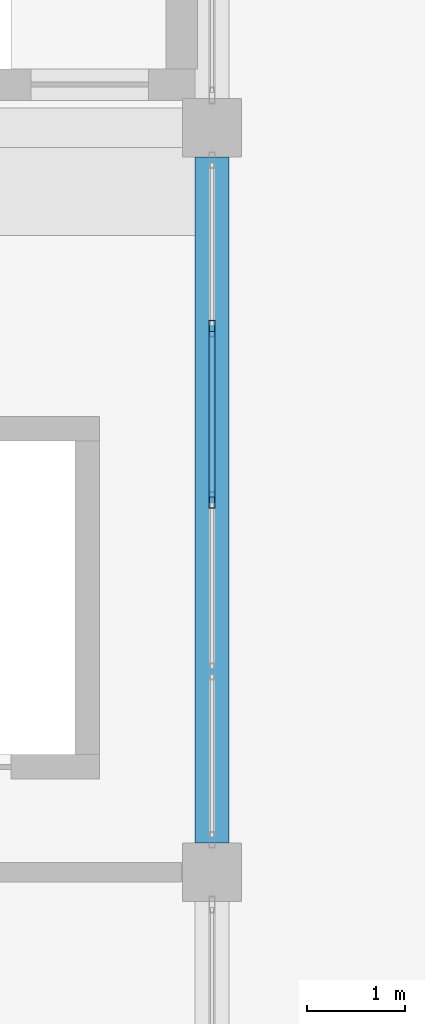
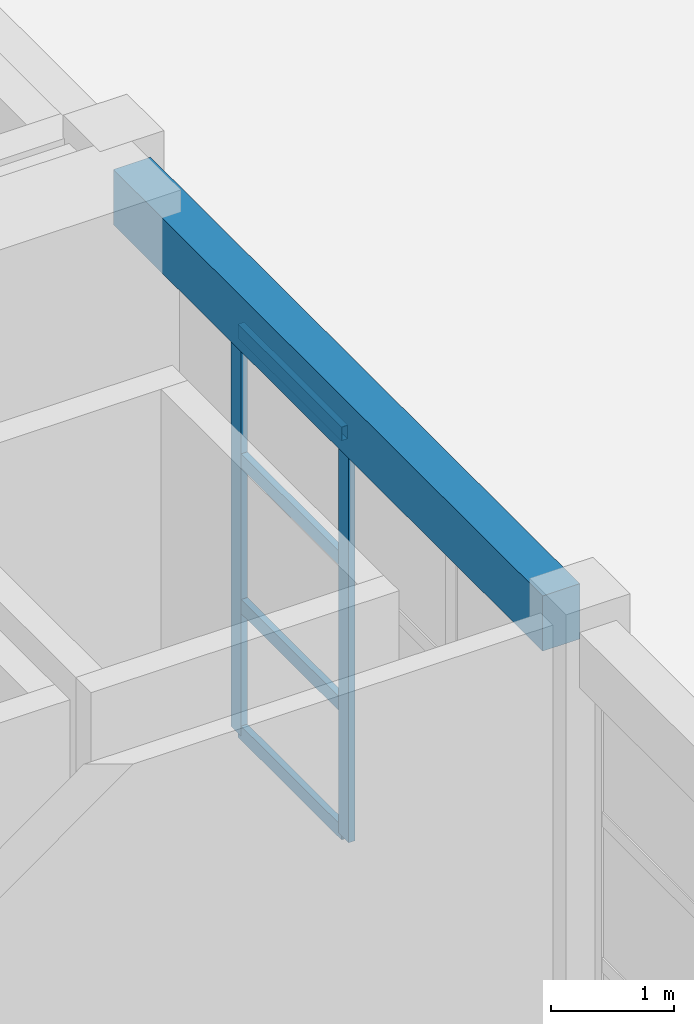
# One storey, part 17 of 32: 6 members, 1 beam, 1 element without a shape of its own.
"""IFC4 building model written with IfcOpenShell, lengths in metres."""

from ifc_helpers import new_model, si_unit, direction, frame, origin, origin_2d, place, context, subcontext, project, spatial, rectangle, hollow_rectangle, extrude, material, material_profile, profile_set, type_object, element, aggregate, save


model = new_model("IFC4")

# Units and contexts
model_context = context("Model", 3, precision=1e-05, world=origin(), true_north=direction((0.0, 1.0)))
body_context = subcontext(model_context, "Body", "Model", "MODEL_VIEW")
ifc_project = project(units=[si_unit("LENGTHUNIT", "METRE"), si_unit("AREAUNIT", "SQUARE_METRE"), si_unit("VOLUMEUNIT", "CUBIC_METRE"), si_unit("PLANEANGLEUNIT", "RADIAN"), si_unit("MASSUNIT", "GRAM", prefix="KILO")], contexts=[model_context])

# Site, building, storey
site_placement = place(None, origin())
site = spatial("IfcSite", under=ifc_project, at=site_placement, CompositionType="ELEMENT")
building_placement = place(site_placement, origin())
building = spatial("IfcBuilding", under=site, at=building_placement, Name="Zantavel Square City Hall", CompositionType="ELEMENT")
storey_placement = place(building_placement, frame((0.0, 0.0, 23.699951171875)))
storey = spatial("IfcBuildingStorey", under=building, at=storey_placement, Name="L06", CompositionType="ELEMENT", Elevation=23.699951171875)

# Curtain wall, members
ifc_material_1 = material(Name="Anodised aluminium 6063-T6", Category="aluminium")
curtain_wall_type = type_object("IfcCurtainWallType", Name="Curtain Wall TRV1 7000x4030", PredefinedType="USERDEFINED", material=ifc_material_1)
curtain_wall_placement = place(storey_placement, origin())
curtain_wall = element("IfcCurtainWall", 1, at=curtain_wall_placement, inside=storey, type_object=curtain_wall_type, Name="L06 Glazed Curtain Wall CW-L06-151", ObjectType="GLAZED CURTAIN WALL", PredefinedType="USERDEFINED")
ifc_material_profile_1 = material_profile(ifc_material_1, hollow_rectangle(XDim=0.06005859375, YDim=0.1650390625, WallThickness=0.00390625, at=origin_2d()), Name="ALU 60x165x4")
ifc_profile_set_1 = profile_set([ifc_material_profile_1], Name="Anodised aluminium 6063-T6")
member_type_1 = type_object("IfcMemberType", Name="CW Council Gallery Mullion ALU 60x165x4", PredefinedType="MULLION", material=ifc_profile_set_1)
member_1_placement = place(storey_placement, frame((104.0, 58.75, 0.0), z_axis=(0.0, 0.0, 1.0), x_axis=(1.0, 0.0, 0.0)))
member_1 = element("IfcMember", 2, at=member_1_placement, type_object=member_type_1, Name="CW-151 mullion 2", PredefinedType="MULLION", context=body_context, shape_type="SweptSolid", body=[
    extrude(hollow_rectangle(XDim=0.06005859375, YDim=0.1650390625, WallThickness=0.00390625, at=origin_2d()), origin(), (0.0, 0.0, 1.0), 4.030029296875),
])
member_2_placement = place(storey_placement, frame((104.0, 57.0, 0.0), z_axis=(0.0, 0.0, 1.0), x_axis=(1.0, 0.0, 0.0)))
member_2 = element("IfcMember", 3, at=member_2_placement, type_object=member_type_1, Name="CW-151 mullion 3", PredefinedType="MULLION", context=body_context, shape_type="SweptSolid", body=[
    extrude(hollow_rectangle(XDim=0.06005859375, YDim=0.1650390625, WallThickness=0.00390625, at=origin_2d()), origin(), (0.0, 0.0, 1.0), 4.030029296875),
])
ifc_material_profile_2 = material_profile(ifc_material_1, hollow_rectangle(XDim=0.06005859375, YDim=0.139892578125, WallThickness=0.00390625, at=origin_2d()), Name="ALU 60x140x4")
ifc_profile_set_2 = profile_set([ifc_material_profile_2], Name="Anodised aluminium 6063-T6")
member_type_2 = type_object("IfcMemberType", Name="CW Transom ALU 60x140x4", PredefinedType="USERDEFINED", material=ifc_profile_set_2)
member_3_placement = place(storey_placement, frame((104.0, 58.719970703125, 0.030029296875), z_axis=(0.0, -1.0, 0.0), x_axis=(1.0, 0.0, 0.0)))
member_3 = element("IfcMember", 4, at=member_3_placement, type_object=member_type_2, Name="CW-151 transom 2.1", ObjectType="TRANSOM", PredefinedType="USERDEFINED", context=body_context, shape_type="SweptSolid", body=[
    extrude(hollow_rectangle(XDim=0.06005859375, YDim=0.139892578125, WallThickness=0.00390625, at=origin_2d()), origin(), (0.0, 0.0, 1.0), 1.68994140625),
])
member_4_placement = place(storey_placement, frame((104.0, 58.719970703125, 1.2900390625), z_axis=(0.0, -1.0, 0.0), x_axis=(1.0, 0.0, 0.0)))
member_4 = element("IfcMember", 5, at=member_4_placement, type_object=member_type_2, Name="CW-151 transom 2.2", ObjectType="TRANSOM", PredefinedType="USERDEFINED", context=body_context, shape_type="SweptSolid", body=[
    extrude(hollow_rectangle(XDim=0.06005859375, YDim=0.139892578125, WallThickness=0.00390625, at=origin_2d()), origin(), (0.0, 0.0, 1.0), 1.68994140625),
])
member_5_placement = place(storey_placement, frame((104.0, 58.719970703125, 2.739990234375), z_axis=(0.0, -1.0, 0.0), x_axis=(1.0, 0.0, 0.0)))
member_5 = element("IfcMember", 6, at=member_5_placement, type_object=member_type_2, Name="CW-151 transom 2.3", ObjectType="TRANSOM", PredefinedType="USERDEFINED", context=body_context, shape_type="SweptSolid", body=[
    extrude(hollow_rectangle(XDim=0.06005859375, YDim=0.139892578125, WallThickness=0.00390625, at=origin_2d()), origin(), (0.0, 0.0, 1.0), 1.68994140625),
])
member_6_placement = place(storey_placement, frame((104.0, 58.719970703125, 4.0), z_axis=(0.0, -1.0, 0.0), x_axis=(1.0, 0.0, 0.0)))
member_6 = element("IfcMember", 7, at=member_6_placement, type_object=member_type_2, Name="CW-151 transom 2.4", ObjectType="TRANSOM", PredefinedType="USERDEFINED", context=body_context, shape_type="SweptSolid", body=[
    extrude(hollow_rectangle(XDim=0.06005859375, YDim=0.139892578125, WallThickness=0.00390625, at=origin_2d()), origin(), (0.0, 0.0, 1.0), 1.68994140625),
])
aggregate(curtain_wall, [member_1, member_2, member_3, member_4, member_5, member_6])

# Beam
ifc_material_2 = material(Name="Concrete C35/45", Category="concrete")
ifc_material_profile_3 = material_profile(ifc_material_2, rectangle(XDim=0.35009765625, YDim=0.550048828125, at=origin_2d()), Name="RC 350x550")
ifc_profile_set_3 = profile_set([ifc_material_profile_3], Name="Concrete C35/45")
beam_type = type_object("IfcBeamType", Name="Secondary Beam RC 350x550 C35/45", PredefinedType="BEAM", material=ifc_profile_set_3)
beam_placement = place(storey_placement, frame((104.0, 53.5, 4.304931640625), z_axis=(0.0, 1.0, 0.0), x_axis=(-1.0, 0.0, 0.0)))
element("IfcBeam", 8, at=beam_placement, inside=storey, type_object=beam_type, Name="L06 Beam BMY-L06-1040-0532", PredefinedType="BEAM", context=body_context, shape_type="SweptSolid", body=[
    extrude(rectangle(XDim=0.35009765625, YDim=0.550048828125, at=origin_2d()), origin(), (0.0, 0.0, 1.0), 7.0),
])

save(model, "model.ifc")
